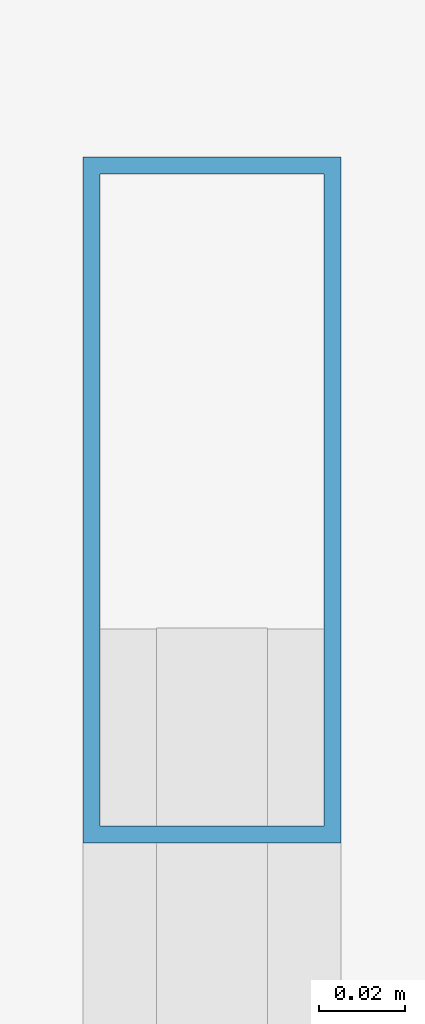
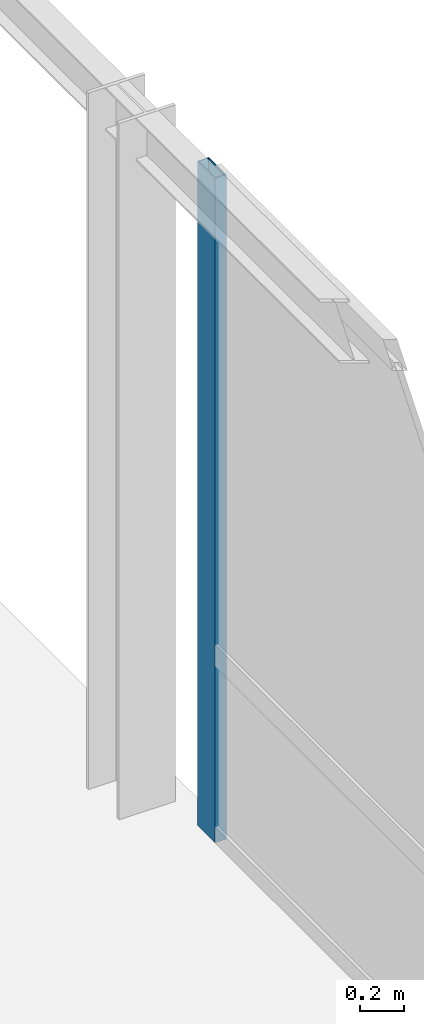
# One storey, part 46 of 189: 1 member, 1 element without a shape of its own.
"""IFC4 building model written with IfcOpenShell, lengths in metres."""

from ifc_helpers import new_model, si_unit, direction, frame, origin, origin_2d, place, context, subcontext, project, spatial, hollow_rectangle, extrude, material, layer, layer_set, material_profile, profile_set, type_object, element, aggregate, save


model = new_model("IFC4")

# Units and contexts
model_context = context("Model", 3, precision=1e-05, world=origin(), true_north=direction((0.0, 1.0)))
body_context = subcontext(model_context, "Body", "Model", "MODEL_VIEW")
ifc_project = project(units=[si_unit("LENGTHUNIT", "METRE"), si_unit("AREAUNIT", "SQUARE_METRE"), si_unit("VOLUMEUNIT", "CUBIC_METRE"), si_unit("PLANEANGLEUNIT", "RADIAN"), si_unit("MASSUNIT", "GRAM", prefix="KILO")], contexts=[model_context])

# Site, building, storey
site_placement = place(None, origin())
site = spatial("IfcSite", under=ifc_project, at=site_placement, CompositionType="ELEMENT")
building_placement = place(site_placement, origin())
building = spatial("IfcBuilding", under=site, at=building_placement, Name="Montecoro Central Library", CompositionType="ELEMENT")
storey_placement = place(building_placement, frame((0.0, 0.0, 9.179931640625)))
storey = spatial("IfcBuildingStorey", under=building, at=storey_placement, Name="L02", CompositionType="ELEMENT", Elevation=9.179931640625)

# Curtain wall, member
ifc_material_1 = material(Name="Bronze-anodised aluminium and low-E glazing", Category="aluminium")
ifc_layer = layer(ifc_material_1, 0.159912109375)
ifc_layer_set = layer_set([ifc_layer], Name="Bronze-anodised aluminium and low-E glazing")
curtain_wall_type = type_object("IfcCurtainWallType", Name="CWT-082", PredefinedType="NOTDEFINED", material=ifc_layer_set)
curtain_wall_placement = place(storey_placement, origin())
curtain_wall = element("IfcCurtainWall", 1, at=curtain_wall_placement, inside=storey, type_object=curtain_wall_type, Name="BR-W-L02-CW-E2", PredefinedType="NOTDEFINED")
ifc_material_2 = material(Name="Bronze-anodised aluminium", Category="aluminium")
ifc_material_profile = material_profile(ifc_material_2, hollow_rectangle(XDim=0.06005859375, YDim=0.159912109375, WallThickness=0.00390625, at=origin_2d()), Name="CWM 160x60x4.0")
ifc_profile_set = profile_set([ifc_material_profile], Name="Bronze-anodised aluminium")
member_type = type_object("IfcMemberType", Name="CWM-BRZ-60", PredefinedType="MULLION", material=ifc_profile_set)
member_placement = place(storey_placement, frame((30.719970703125, 63.449951171875, 0.0), z_axis=(0.0, 0.0, 1.0), x_axis=(-1.0, 0.0, 0.0)))
member = element("IfcMember", 2, at=member_placement, type_object=member_type, Name="CW-082 mullion 5", PredefinedType="MULLION", context=body_context, shape_type="SweptSolid", body=[
    extrude(hollow_rectangle(XDim=0.06005859375, YDim=0.159912109375, WallThickness=0.00390625, at=origin_2d()), origin(), (0.0, 0.0, 1.0), 3.72998046875),
])
aggregate(curtain_wall, [member])

save(model, "model.ifc")
